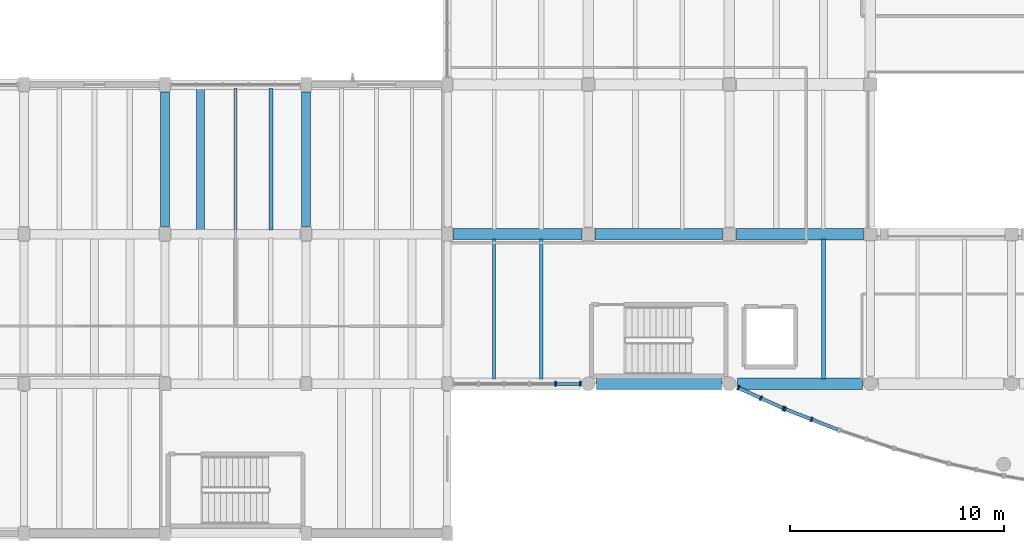
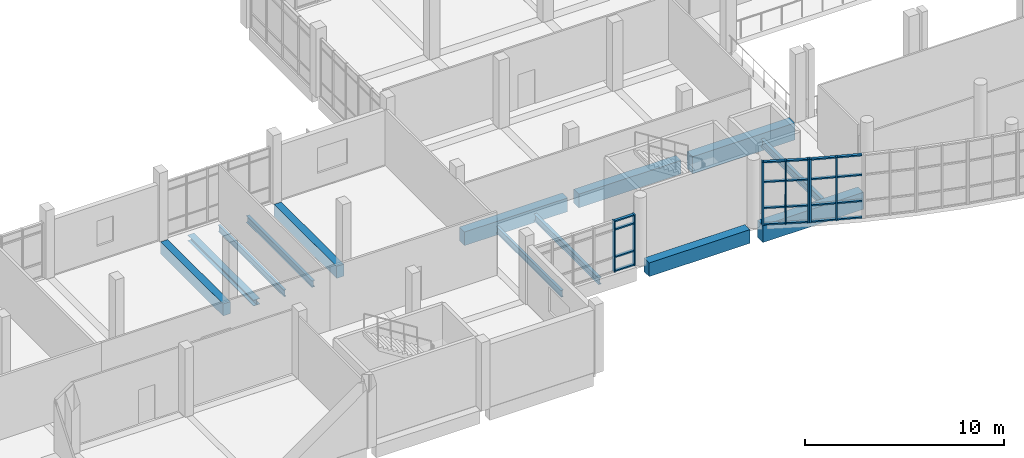
# One storey, part 5 of 67: 27 members, 13 beams, 3 elements without a shape of their own.
"""IFC4 building model written with IfcOpenShell, lengths in metres."""

import ifcopenshell
import ifcopenshell.guid

model = None  # the IFC model being written
_history = None  # IfcOwnerHistory: only IFC2X3 demands one
_inside = {}  # id of a spatial element -> (the spatial element, [elements in it])
_under = {}  # id of a project, library or spatial element -> (it, [spatial elements below it])
_declared = {}  # id of a project -> (the project, [libraries it declares])
_typed = {}  # id of a type object -> (the type object, [elements of that type])
_made_of = {}  # id of a material, layer set ... -> (it, [elements and type objects made of it])


def new_model(schema):
    """Start an empty IFC model of exactly this schema.

    Asked for "IFC4X3", IfcOpenShell would pick the latest addendum, in which some entities
    have other attributes; the version numbers below select the first issue.
    IFC2X3 requires an IfcOwnerHistory on every rooted entity: one is made here for all.
    """
    global model, _history
    if schema == "IFC4X3":
        model = ifcopenshell.file(schema_version=(4, 3, 0, 0))
    else:
        model = ifcopenshell.file(schema=schema)
    _inside.clear()
    _under.clear()
    _declared.clear()
    _typed.clear()
    _made_of.clear()
    _history = None
    if model.schema == "IFC2X3":
        org = make("IfcOrganization", Name="unknown")
        user = make(
            "IfcPersonAndOrganization",
            ThePerson=make("IfcPerson", FamilyName="unknown"),
            TheOrganization=org,
        )
        app = make(
            "IfcApplication",
            ApplicationDeveloper=org,
            Version="unknown",
            ApplicationFullName="unknown",
            ApplicationIdentifier="unknown",
        )
        _history = make(
            "IfcOwnerHistory",
            OwningUser=user,
            OwningApplication=app,
            ChangeAction="ADDED",
            CreationDate=0,
        )
    return model


def make(cls, **values):
    """One entity of the class cls with the attributes given. An attribute that is None is left unset."""
    return model.create_entity(
        cls, **{name: value for name, value in values.items() if value is not None}
    )


def rooted(cls, **values):
    """An entity with a GlobalId (a new one), such as an element, a storey or a relation."""
    return make(cls, GlobalId=ifcopenshell.guid.new(), OwnerHistory=_history, **values)


def si_unit(unit_type, name, prefix=None):
    """IfcSIUnit, for example si_unit("LENGTHUNIT", "METRE", prefix="MILLI")."""
    return make("IfcSIUnit", UnitType=unit_type, Prefix=prefix, Name=name)


def assignment(units):
    """IfcUnitAssignment: the units of a project."""
    return None if units is None else make("IfcUnitAssignment", Units=units)


def point(xyz):
    """IfcCartesianPoint."""
    return None if xyz is None else make("IfcCartesianPoint", Coordinates=xyz)


def direction(xyz):
    """IfcDirection."""
    return None if xyz is None else make("IfcDirection", DirectionRatios=xyz)


def frame(location, z_axis=None, x_axis=None):
    """IfcAxis2Placement3D, a coordinate frame: its origin and axes. An axis left out is left unset."""
    return make(
        "IfcAxis2Placement3D",
        Location=point(location),
        Axis=direction(z_axis),
        RefDirection=direction(x_axis),
    )


def frame_2d(location, x_axis=None):
    """IfcAxis2Placement2D, a coordinate frame in the plane: its origin and x axis."""
    return make(
        "IfcAxis2Placement2D", Location=point(location), RefDirection=direction(x_axis)
    )


def origin():
    """The frame at (0, 0, 0) with its axes left unset."""
    return frame((0.0, 0.0, 0.0))


def origin_2d():
    """The frame at (0, 0) in the plane with its x axis left unset."""
    return frame_2d((0.0, 0.0))


def place(relative_to, where):
    """IfcLocalPlacement: puts the frame where relative to a parent placement (None: the world)."""
    return make(
        "IfcLocalPlacement", PlacementRelTo=relative_to, RelativePlacement=where
    )


def context(
    kind, dimensions, precision=None, world=None, true_north=None, identifier=None
):
    """IfcGeometricRepresentationContext, for example the 3D "Model" context."""
    return make(
        "IfcGeometricRepresentationContext",
        ContextIdentifier=identifier,
        ContextType=kind,
        CoordinateSpaceDimension=dimensions,
        Precision=precision,
        WorldCoordinateSystem=world,
        TrueNorth=true_north,
    )


def subcontext(parent, identifier, kind, view, scale=None):
    """IfcGeometricRepresentationSubContext, for example "Body" below "Model"."""
    return make(
        "IfcGeometricRepresentationSubContext",
        ContextIdentifier=identifier,
        ContextType=kind,
        ParentContext=parent,
        TargetScale=scale,
        TargetView=view,
    )


def project(units=None, contexts=None):
    """IfcProject with its units and contexts."""
    return rooted(
        "IfcProject",
        Name="project",
        RepresentationContexts=contexts,
        UnitsInContext=assignment(units),
    )


def spatial(cls, under=None, at=None, **own):
    """A site, building, storey or space (cls), placed at a placement, below another one or the project."""
    s = rooted(cls, ObjectPlacement=at, **own)
    if under is not None:
        _under.setdefault(under.id(), (under, []))[1].append(s)
    return s


def profile(cls, at=None, kind="AREA", **sizes):
    """A parametric profile (cls). Its sizes go by their IFC names, for example OverallWidth=200.0."""
    return make(cls, ProfileType=kind, Position=at, **sizes)


def rectangle(**sizes):
    """IfcRectangleProfileDef."""
    return profile("IfcRectangleProfileDef", **sizes)


def i_section(**sizes):
    """IfcIShapeProfileDef."""
    return profile("IfcIShapeProfileDef", **sizes)


def extrude(swept, where, along, depth):
    """IfcExtrudedAreaSolid: the profile swept, set in the frame where, extruded along a direction by depth."""
    return make(
        "IfcExtrudedAreaSolid",
        SweptArea=swept,
        Position=where,
        ExtrudedDirection=direction(along),
        Depth=depth,
    )


def shape(context_of_items, identifier, shape_type, items):
    """IfcShapeRepresentation: the items that make up one representation, for example the "Body"."""
    return make(
        "IfcShapeRepresentation",
        ContextOfItems=context_of_items,
        RepresentationIdentifier=identifier,
        RepresentationType=shape_type,
        Items=items,
    )


def material(Name=None, Category=None):
    """IfcMaterial."""
    return make("IfcMaterial", Name=Name, Category=Category)


def material_profile(
    of_material, cross_section, Name=None, Category=None, Priority=None
):
    """IfcMaterialProfile: a cross section and its material."""
    return make(
        "IfcMaterialProfile",
        Name=Name,
        Material=of_material,
        Profile=cross_section,
        Priority=Priority,
        Category=Category,
    )


def profile_set(profiles, Name=None, composite=None):
    """IfcMaterialProfileSet."""
    return make(
        "IfcMaterialProfileSet",
        Name=Name,
        MaterialProfiles=profiles,
        CompositeProfile=composite,
    )


def made_of(thing, what):
    """Note that an element or type object is made of a material, layer set ...; save() writes the relation."""
    if what is not None:
        _made_of.setdefault(what.id(), (what, []))[1].append(thing)
    return thing


def type_object(cls, material=None, **own):
    """A type object (cls), such as IfcWallType, which elements share."""
    return made_of(rooted(cls, **own), material)


def element(
    cls,
    number,
    at=None,
    inside=None,
    cuts=None,
    type_object=None,
    material=None,
    context=None,
    identifier="Body",
    shape_type=None,
    held_by="IfcProductDefinitionShape",
    body=None,
    shapes=None,
    **own,
):
    """One element of the class cls, such as IfcWall. Its Tag is "e" and its number.

    at: its placement. inside: the storey or other place that contains it. cuts: it is an
    opening in that element (IfcRelVoidsElement). A single representation is given by context,
    identifier, shape_type and body (its items); several are given by shapes. held_by: the class
    of the entity that holds the representations. save() writes the other relations.
    """
    e = rooted(cls, Tag="e%d" % number, ObjectPlacement=at, **own)
    if body is not None:
        shapes = [shape(context, identifier, shape_type, body)]
    if shapes is not None:
        e.Representation = make(held_by, Representations=shapes)
    if inside is not None:
        _inside.setdefault(inside.id(), (inside, []))[1].append(e)
    if cuts is not None:
        rooted(
            "IfcRelVoidsElement", RelatingBuildingElement=cuts, RelatedOpeningElement=e
        )
    if type_object is not None:
        _typed.setdefault(type_object.id(), (type_object, []))[1].append(e)
    return made_of(e, material)


def aggregate(whole, parts):
    """IfcRelAggregates: a whole, such as a stair, and the parts it consists of."""
    return rooted("IfcRelAggregates", RelatingObject=whole, RelatedObjects=parts)


def save(model, path):
    """Write the relations noted so far, then the file.

    IfcRelAggregates (storeys below a building ...), IfcRelContainedInSpatialStructure (elements
    in a storey), IfcRelDefinesByType, IfcRelAssociatesMaterial and IfcRelDeclares: one each for
    every whole, place, type object, material and project.
    """
    for whole, parts in _under.values():
        aggregate(whole, parts)
    for where, things in _inside.values():
        rooted(
            "IfcRelContainedInSpatialStructure",
            RelatedElements=things,
            RelatingStructure=where,
        )
    for kind, things in _typed.values():
        rooted("IfcRelDefinesByType", RelatedObjects=things, RelatingType=kind)
    for what, things in _made_of.values():
        rooted("IfcRelAssociatesMaterial", RelatedObjects=things, RelatingMaterial=what)
    for by, libraries in _declared.values():
        rooted("IfcRelDeclares", RelatingContext=by, RelatedDefinitions=libraries)
    model.write(path)


model = new_model("IFC4")

# Units and contexts
model_context = context("Model", 3, precision=1e-05, world=origin(), true_north=direction((0.0, 1.0)))
body_context = subcontext(model_context, "Body", "Model", "MODEL_VIEW")
ifc_project = project(units=[si_unit("LENGTHUNIT", "METRE"), si_unit("AREAUNIT", "SQUARE_METRE"), si_unit("VOLUMEUNIT", "CUBIC_METRE"), si_unit("PLANEANGLEUNIT", "RADIAN"), si_unit("MASSUNIT", "GRAM", prefix="KILO")], contexts=[model_context])

# Site, building, storey
site_placement = place(None, origin())
site = spatial("IfcSite", under=ifc_project, at=site_placement, CompositionType="ELEMENT")
building_placement = place(site_placement, origin())
building = spatial("IfcBuilding", under=site, at=building_placement, Name="Ciguamira Faculty of Natural Sciences", CompositionType="ELEMENT")
storey_placement = place(building_placement, frame((0.0, 0.0, 8.39990234375)))
storey = spatial("IfcBuildingStorey", under=building, at=storey_placement, Name="L02", CompositionType="ELEMENT", Elevation=8.39990234375)

# Curtain wall, members
ifc_material_1 = material(Name="Anodized aluminium curtain wall", Category="aluminium")
curtain_wall_type_1 = type_object("IfcCurtainWallType", Name="CurtainWall_CW-06", PredefinedType="USERDEFINED", material=ifc_material_1)
curtain_wall_1_placement = place(storey_placement, origin())
curtain_wall_1 = element("IfcCurtainWall", 1, at=curtain_wall_1_placement, inside=storey, type_object=curtain_wall_type_1, Name="L02 unitised curtain wall 0054", ObjectType="UNITISED CURTAIN WALL", PredefinedType="USERDEFINED")
ifc_material_2 = material(Name="Anodized aluminium mullion", Category="aluminium")
ifc_material_profile_1 = material_profile(ifc_material_2, rectangle(XDim=0.080078125, YDim=0.219970703125, at=origin_2d()), Name="ALU-MUL-80X220")
ifc_profile_set_1 = profile_set([ifc_material_profile_1], Name="Anodized aluminium mullion")
member_type_1 = type_object("IfcMemberType", Name="CWMullion_CWM-03", PredefinedType="MULLION", material=ifc_profile_set_1)
member_1_placement = place(storey_placement, frame((55.77001953125, 10.0, 0.0), z_axis=(0.0, 0.0, 1.0), x_axis=(1.0, 0.0, 0.0)))
member_1 = element("IfcMember", 2, at=member_1_placement, type_object=member_type_1, Name="CW-06 mullion 5", PredefinedType="MULLION", context=body_context, shape_type="SweptSolid", body=[
    extrude(rectangle(XDim=0.080078125, YDim=0.219970703125, at=origin_2d()), origin(), (0.0, 0.0, 1.0), 3.135009765625),
])
member_2_placement = place(storey_placement, frame((56.93505859375, 10.0, 0.0), z_axis=(0.0, 0.0, 1.0), x_axis=(1.0, 0.0, 0.0)))
member_2 = element("IfcMember", 3, at=member_2_placement, type_object=member_type_1, Name="CW-06 mullion 6", PredefinedType="MULLION", context=body_context, shape_type="SweptSolid", body=[
    extrude(rectangle(XDim=0.080078125, YDim=0.219970703125, at=origin_2d()), origin(), (0.0, 0.0, 1.0), 3.135009765625),
])

curtain_wall_2_placement = place(storey_placement, origin())
curtain_wall_2 = element("IfcCurtainWall", 4, at=curtain_wall_2_placement, inside=storey, type_object=curtain_wall_type_1, Name="L02 south gallery curved curtain wall 01", ObjectType="UNITISED CURTAIN WALL", PredefinedType="USERDEFINED")
member_3_placement = place(storey_placement, frame((64.31884765625, 9.809814453125, 0.0), z_axis=(0.0, 0.0, 1.0), x_axis=(0.910580503774, -0.41333176281, 0.0)))
member_3 = element("IfcMember", 5, at=member_3_placement, type_object=member_type_1, Name="CW-06 mullion 1", PredefinedType="MULLION", context=body_context, shape_type="SweptSolid", body=[
    extrude(rectangle(XDim=0.080078125, YDim=0.219970703125, at=origin_2d()), origin(), (0.0, 0.0, 1.0), 3.900146484375),
])
member_4_placement = place(storey_placement, frame((65.37451171875, 9.33056640625, 0.0), z_axis=(0.0, 0.0, 1.0), x_axis=(0.910580503774, -0.41333176281, 0.0)))
member_4 = element("IfcMember", 6, at=member_4_placement, type_object=member_type_1, Name="CW-06 mullion 2", PredefinedType="MULLION", context=body_context, shape_type="SweptSolid", body=[
    extrude(rectangle(XDim=0.080078125, YDim=0.219970703125, at=origin_2d()), origin(), (0.0, 0.0, 1.0), 3.900146484375),
])
member_5_placement = place(storey_placement, frame((66.43017578125, 8.851318359375, 0.0), z_axis=(0.0, 0.0, 1.0), x_axis=(0.910580503774, -0.41333176281, 0.0)))
member_5 = element("IfcMember", 7, at=member_5_placement, type_object=member_type_1, Name="CW-06 mullion 3", PredefinedType="MULLION", context=body_context, shape_type="SweptSolid", body=[
    extrude(rectangle(XDim=0.080078125, YDim=0.219970703125, at=origin_2d()), origin(), (0.0, 0.0, 1.0), 3.900146484375),
])

curtain_wall_type_2 = type_object("IfcCurtainWallType", Name="CurtainWall_CW-07", PredefinedType="USERDEFINED", material=ifc_material_1)
curtain_wall_3_placement = place(storey_placement, origin())
curtain_wall_3 = element("IfcCurtainWall", 8, at=curtain_wall_3_placement, inside=storey, type_object=curtain_wall_type_2, Name="L02 south gallery curved curtain wall 02", ObjectType="UNITISED CURTAIN WALL", PredefinedType="USERDEFINED")
member_6_placement = place(storey_placement, frame((66.50390625, 8.8203125, 0.0), z_axis=(0.0, 0.0, 1.0), x_axis=(0.931122296337, -0.36470710065, 0.0)))
member_6 = element("IfcMember", 9, at=member_6_placement, type_object=member_type_1, Name="CW-07 mullion 1", PredefinedType="MULLION", context=body_context, shape_type="SweptSolid", body=[
    extrude(rectangle(XDim=0.080078125, YDim=0.219970703125, at=origin_2d()), origin(), (0.0, 0.0, 1.0), 3.900146484375),
])
member_7_placement = place(storey_placement, frame((67.75, 8.332275390625, 0.0), z_axis=(0.0, 0.0, 1.0), x_axis=(0.931122296337, -0.36470710065, 0.0)))
member_7 = element("IfcMember", 10, at=member_7_placement, type_object=member_type_1, Name="CW-07 mullion 2", PredefinedType="MULLION", context=body_context, shape_type="SweptSolid", body=[
    extrude(rectangle(XDim=0.080078125, YDim=0.219970703125, at=origin_2d()), origin(), (0.0, 0.0, 1.0), 3.900146484375),
])

# Member
ifc_material_3 = material(Name="Anodized aluminium transom", Category="aluminium")
ifc_material_profile_2 = material_profile(ifc_material_3, rectangle(XDim=0.080078125, YDim=0.159912109375, at=origin_2d()), Name="ALU-TRN-80X160")
ifc_profile_set_2 = profile_set([ifc_material_profile_2], Name="Anodized aluminium transom")
member_type_2 = type_object("IfcMemberType", Name="CWTransom_CWT-03", PredefinedType="USERDEFINED", material=ifc_profile_set_2)
member_8_placement = place(storey_placement, frame((55.81005859375, 10.0, 0.0400390625), z_axis=(1.0, 0.0, 0.0), x_axis=(0.0, 0.0, 1.0)))
member_8 = element("IfcMember", 11, at=member_8_placement, type_object=member_type_2, Name="CW-06 transom 5.1", ObjectType="TRANSOM", PredefinedType="USERDEFINED", context=body_context, shape_type="SweptSolid", body=[
    extrude(rectangle(XDim=0.080078125, YDim=0.159912109375, at=origin_2d()), origin(), (0.0, 0.0, 1.0), 1.0849609375),
])

member_9_placement = place(storey_placement, frame((55.81005859375, 10.0, 0.900146484375), z_axis=(1.0, 0.0, 0.0), x_axis=(0.0, 0.0, 1.0)))
member_9 = element("IfcMember", 12, at=member_9_placement, type_object=member_type_2, Name="CW-06 transom 5.2", ObjectType="TRANSOM", PredefinedType="USERDEFINED", context=body_context, shape_type="SweptSolid", body=[
    extrude(rectangle(XDim=0.080078125, YDim=0.159912109375, at=origin_2d()), origin(), (0.0, 0.0, 1.0), 1.0849609375),
])

member_10_placement = place(storey_placement, frame((55.81005859375, 10.0, 2.585205078125), z_axis=(1.0, 0.0, 0.0), x_axis=(0.0, 0.0, 1.0)))
member_10 = element("IfcMember", 13, at=member_10_placement, type_object=member_type_2, Name="CW-06 transom 5.3", ObjectType="TRANSOM", PredefinedType="USERDEFINED", context=body_context, shape_type="SweptSolid", body=[
    extrude(rectangle(XDim=0.080078125, YDim=0.159912109375, at=origin_2d()), origin(), (0.0, 0.0, 1.0), 1.0849609375),
])

member_11_placement = place(storey_placement, frame((55.81005859375, 10.0, 3.09521484375), z_axis=(1.0, 0.0, 0.0), x_axis=(0.0, 0.0, 1.0)))
member_11 = element("IfcMember", 14, at=member_11_placement, type_object=member_type_2, Name="CW-06 transom 5.4", ObjectType="TRANSOM", PredefinedType="USERDEFINED", context=body_context, shape_type="SweptSolid", body=[
    extrude(rectangle(XDim=0.080078125, YDim=0.159912109375, at=origin_2d()), origin(), (0.0, 0.0, 1.0), 1.0849609375),
])

aggregate(curtain_wall_1, [member_1, member_2, member_8, member_9, member_10, member_11])

member_12_placement = place(storey_placement, frame((64.355224609375, 9.793212890625, 0.0400390625), z_axis=(0.910621924114, -0.413240500585, 0.0), x_axis=(0.0, 0.0, 1.0)))
member_12 = element("IfcMember", 15, at=member_12_placement, type_object=member_type_2, Name="CW-06 transom 1.1", ObjectType="TRANSOM", PredefinedType="USERDEFINED", context=body_context, shape_type="SweptSolid", body=[
    extrude(rectangle(XDim=0.080078125, YDim=0.159912109375, at=origin_2d()), origin(), (0.0, 0.0, 1.0), 1.079345703125),
])

member_13_placement = place(storey_placement, frame((64.355224609375, 9.793212890625, 1.050048828125), z_axis=(0.910621924114, -0.413240500585, 0.0), x_axis=(0.0, 0.0, 1.0)))
member_13 = element("IfcMember", 16, at=member_13_placement, type_object=member_type_2, Name="CW-06 transom 1.2", ObjectType="TRANSOM", PredefinedType="USERDEFINED", context=body_context, shape_type="SweptSolid", body=[
    extrude(rectangle(XDim=0.080078125, YDim=0.159912109375, at=origin_2d()), origin(), (0.0, 0.0, 1.0), 1.079345703125),
])

member_14_placement = place(storey_placement, frame((64.355224609375, 9.793212890625, 2.650146484375), z_axis=(0.910621924114, -0.413240500585, 0.0), x_axis=(0.0, 0.0, 1.0)))
member_14 = element("IfcMember", 17, at=member_14_placement, type_object=member_type_2, Name="CW-06 transom 1.3", ObjectType="TRANSOM", PredefinedType="USERDEFINED", context=body_context, shape_type="SweptSolid", body=[
    extrude(rectangle(XDim=0.080078125, YDim=0.159912109375, at=origin_2d()), origin(), (0.0, 0.0, 1.0), 1.079345703125),
])

member_15_placement = place(storey_placement, frame((64.355224609375, 9.793212890625, 3.860107421875), z_axis=(0.910621924114, -0.413240500585, 0.0), x_axis=(0.0, 0.0, 1.0)))
member_15 = element("IfcMember", 18, at=member_15_placement, type_object=member_type_2, Name="CW-06 transom 1.4", ObjectType="TRANSOM", PredefinedType="USERDEFINED", context=body_context, shape_type="SweptSolid", body=[
    extrude(rectangle(XDim=0.080078125, YDim=0.159912109375, at=origin_2d()), origin(), (0.0, 0.0, 1.0), 1.079345703125),
])

member_16_placement = place(storey_placement, frame((65.410888671875, 9.314208984375, 0.0400390625), z_axis=(0.910536797913, -0.413428034422, 0.0), x_axis=(0.0, 0.0, 1.0)))
member_16 = element("IfcMember", 19, at=member_16_placement, type_object=member_type_2, Name="CW-06 transom 2.1", ObjectType="TRANSOM", PredefinedType="USERDEFINED", context=body_context, shape_type="SweptSolid", body=[
    extrude(rectangle(XDim=0.080078125, YDim=0.159912109375, at=origin_2d()), origin(), (0.0, 0.0, 1.0), 1.07958984375),
])

member_17_placement = place(storey_placement, frame((65.410888671875, 9.314208984375, 1.050048828125), z_axis=(0.910536797913, -0.413428034422, 0.0), x_axis=(0.0, 0.0, 1.0)))
member_17 = element("IfcMember", 20, at=member_17_placement, type_object=member_type_2, Name="CW-06 transom 2.2", ObjectType="TRANSOM", PredefinedType="USERDEFINED", context=body_context, shape_type="SweptSolid", body=[
    extrude(rectangle(XDim=0.080078125, YDim=0.159912109375, at=origin_2d()), origin(), (0.0, 0.0, 1.0), 1.07958984375),
])

member_18_placement = place(storey_placement, frame((65.410888671875, 9.314208984375, 2.650146484375), z_axis=(0.910536797913, -0.413428034422, 0.0), x_axis=(0.0, 0.0, 1.0)))
member_18 = element("IfcMember", 21, at=member_18_placement, type_object=member_type_2, Name="CW-06 transom 2.3", ObjectType="TRANSOM", PredefinedType="USERDEFINED", context=body_context, shape_type="SweptSolid", body=[
    extrude(rectangle(XDim=0.080078125, YDim=0.159912109375, at=origin_2d()), origin(), (0.0, 0.0, 1.0), 1.07958984375),
])

member_19_placement = place(storey_placement, frame((65.410888671875, 9.314208984375, 3.860107421875), z_axis=(0.910536797913, -0.413428034422, 0.0), x_axis=(0.0, 0.0, 1.0)))
member_19 = element("IfcMember", 22, at=member_19_placement, type_object=member_type_2, Name="CW-06 transom 2.4", ObjectType="TRANSOM", PredefinedType="USERDEFINED", context=body_context, shape_type="SweptSolid", body=[
    extrude(rectangle(XDim=0.080078125, YDim=0.159912109375, at=origin_2d()), origin(), (0.0, 0.0, 1.0), 1.07958984375),
])

aggregate(curtain_wall_2, [member_3, member_4, member_5, member_12, member_13, member_14, member_15, member_16, member_17, member_18, member_19])

member_20_placement = place(storey_placement, frame((66.541259765625, 8.8056640625, 0.0400390625), z_axis=(0.931142528587, -0.364655442104, 0.0), x_axis=(0.0, 0.0, 1.0)))
member_20 = element("IfcMember", 23, at=member_20_placement, type_object=member_type_2, Name="CW-07 transom 1.1", ObjectType="TRANSOM", PredefinedType="USERDEFINED", context=body_context, shape_type="SweptSolid", body=[
    extrude(rectangle(XDim=0.080078125, YDim=0.159912109375, at=origin_2d()), origin(), (0.0, 0.0, 1.0), 1.258056640625),
])

member_21_placement = place(storey_placement, frame((66.541259765625, 8.8056640625, 1.050048828125), z_axis=(0.931142528587, -0.364655442104, 0.0), x_axis=(0.0, 0.0, 1.0)))
member_21 = element("IfcMember", 24, at=member_21_placement, type_object=member_type_2, Name="CW-07 transom 1.2", ObjectType="TRANSOM", PredefinedType="USERDEFINED", context=body_context, shape_type="SweptSolid", body=[
    extrude(rectangle(XDim=0.080078125, YDim=0.159912109375, at=origin_2d()), origin(), (0.0, 0.0, 1.0), 1.258056640625),
])

member_22_placement = place(storey_placement, frame((66.541259765625, 8.8056640625, 2.650146484375), z_axis=(0.931142528587, -0.364655442104, 0.0), x_axis=(0.0, 0.0, 1.0)))
member_22 = element("IfcMember", 25, at=member_22_placement, type_object=member_type_2, Name="CW-07 transom 1.3", ObjectType="TRANSOM", PredefinedType="USERDEFINED", context=body_context, shape_type="SweptSolid", body=[
    extrude(rectangle(XDim=0.080078125, YDim=0.159912109375, at=origin_2d()), origin(), (0.0, 0.0, 1.0), 1.258056640625),
])

member_23_placement = place(storey_placement, frame((66.541259765625, 8.8056640625, 3.860107421875), z_axis=(0.931142528587, -0.364655442104, 0.0), x_axis=(0.0, 0.0, 1.0)))
member_23 = element("IfcMember", 26, at=member_23_placement, type_object=member_type_2, Name="CW-07 transom 1.4", ObjectType="TRANSOM", PredefinedType="USERDEFINED", context=body_context, shape_type="SweptSolid", body=[
    extrude(rectangle(XDim=0.080078125, YDim=0.159912109375, at=origin_2d()), origin(), (0.0, 0.0, 1.0), 1.258056640625),
])

member_24_placement = place(storey_placement, frame((67.787353515625, 8.317626953125, 0.0400390625), z_axis=(0.931142528587, -0.364655442104, 0.0), x_axis=(0.0, 0.0, 1.0)))
member_24 = element("IfcMember", 27, at=member_24_placement, type_object=member_type_2, Name="CW-07 transom 2.1", ObjectType="TRANSOM", PredefinedType="USERDEFINED", context=body_context, shape_type="SweptSolid", body=[
    extrude(rectangle(XDim=0.080078125, YDim=0.159912109375, at=origin_2d()), origin(), (0.0, 0.0, 1.0), 1.258056640625),
])

member_25_placement = place(storey_placement, frame((67.787353515625, 8.317626953125, 1.050048828125), z_axis=(0.931142528587, -0.364655442104, 0.0), x_axis=(0.0, 0.0, 1.0)))
member_25 = element("IfcMember", 28, at=member_25_placement, type_object=member_type_2, Name="CW-07 transom 2.2", ObjectType="TRANSOM", PredefinedType="USERDEFINED", context=body_context, shape_type="SweptSolid", body=[
    extrude(rectangle(XDim=0.080078125, YDim=0.159912109375, at=origin_2d()), origin(), (0.0, 0.0, 1.0), 1.258056640625),
])

member_26_placement = place(storey_placement, frame((67.787353515625, 8.317626953125, 2.650146484375), z_axis=(0.931142528587, -0.364655442104, 0.0), x_axis=(0.0, 0.0, 1.0)))
member_26 = element("IfcMember", 29, at=member_26_placement, type_object=member_type_2, Name="CW-07 transom 2.3", ObjectType="TRANSOM", PredefinedType="USERDEFINED", context=body_context, shape_type="SweptSolid", body=[
    extrude(rectangle(XDim=0.080078125, YDim=0.159912109375, at=origin_2d()), origin(), (0.0, 0.0, 1.0), 1.258056640625),
])

member_27_placement = place(storey_placement, frame((67.787353515625, 8.317626953125, 3.860107421875), z_axis=(0.931142528587, -0.364655442104, 0.0), x_axis=(0.0, 0.0, 1.0)))
member_27 = element("IfcMember", 30, at=member_27_placement, type_object=member_type_2, Name="CW-07 transom 2.4", ObjectType="TRANSOM", PredefinedType="USERDEFINED", context=body_context, shape_type="SweptSolid", body=[
    extrude(rectangle(XDim=0.080078125, YDim=0.159912109375, at=origin_2d()), origin(), (0.0, 0.0, 1.0), 1.258056640625),
])

aggregate(curtain_wall_3, [member_6, member_7, member_20, member_21, member_22, member_23, member_24, member_25, member_26, member_27])

# Beams
ifc_material_4 = material(Name="Concrete C40/50", Category="concrete")
ifc_material_profile_3 = material_profile(ifc_material_4, rectangle(XDim=0.550048828125, YDim=1.050048828125, at=origin_2d()), Name="RC-BM-550X1050")
ifc_profile_set_3 = profile_set([ifc_material_profile_3], Name="Concrete C40/50")
beam_type_1 = type_object("IfcBeamType", Name="RCBeam_BG-01_RC-BM-550X1050", PredefinedType="BEAM", material=ifc_profile_set_3)
beam_1_placement = place(storey_placement, frame((64.27490234375, 10.0, -0.52490234375), z_axis=(1.0, 0.0, 0.0), x_axis=(0.0, 1.0, 0.0)))
element("IfcBeam", 31, at=beam_1_placement, inside=storey, type_object=beam_type_1, Name="L02 RC girder EW-0721", PredefinedType="BEAM", context=body_context, shape_type="SweptSolid", body=[
    extrude(rectangle(XDim=0.550048828125, YDim=1.050048828125, at=origin_2d()), origin(), (0.0, 0.0, 1.0), 5.85009765625),
])
beam_2_placement = place(storey_placement, frame((64.22509765625, 17.0, -0.52490234375), z_axis=(1.0, 0.0, 0.0), x_axis=(0.0, 1.0, 0.0)))
element("IfcBeam", 32, at=beam_2_placement, inside=storey, type_object=beam_type_1, Name="L02 RC girder EW-0739", PredefinedType="BEAM", context=body_context, shape_type="SweptSolid", body=[
    extrude(rectangle(XDim=0.550048828125, YDim=1.050048828125, at=origin_2d()), origin(), (0.0, 0.0, 1.0), 5.949951171875),
])
ifc_material_profile_4 = material_profile(ifc_material_4, rectangle(XDim=0.419921875, YDim=0.739990234375, at=origin_2d()), Name="RC-BM-420X740")
ifc_profile_set_4 = profile_set([ifc_material_profile_4], Name="Concrete C40/50")
beam_type_2 = type_object("IfcBeamType", Name="RCBeam_BG-07_RC-BM-420X740", PredefinedType="BEAM", material=ifc_profile_set_4)
for number, where, z_axis, x_axis, name in (
    (33, (37.5, 17.35009765625, -0.369873046875), (0.0, 1.0, 0.0), (-1.0, 0.0, 0.0), "L02 girder NS-0889"),
    (34, (44.10009765625, 17.35009765625, -0.369873046875), (0.0, 1.0, 0.0), (-1.0, 0.0, 0.0), "L02 girder NS-0891"),
):
    element("IfcBeam", number, at=place(storey_placement, frame(where, z_axis=z_axis, x_axis=x_axis)), inside=storey, type_object=beam_type_2, Name=name, PredefinedType="BEAM", context=body_context, shape_type="SweptSolid", body=[
        extrude(rectangle(XDim=0.419921875, YDim=0.739990234375, at=origin_2d()), origin(), (0.0, 0.0, 1.0), 6.2998046875),
    ])
ifc_material_profile_5 = material_profile(ifc_material_4, rectangle(XDim=0.52001953125, YDim=0.840087890625, at=origin_2d()), Name="RC-TB-520X840")
ifc_profile_set_5 = profile_set([ifc_material_profile_5], Name="Concrete C40/50")
beam_type_3 = type_object("IfcBeamType", Name="RCBeam_TB-02_RC-TB-520X840", PredefinedType="T_BEAM", material=ifc_profile_set_5)
beam_3_placement = place(storey_placement, frame((57.675048828125, 10.0, -0.419921875), z_axis=(1.0, 0.0, 0.0), x_axis=(0.0, 1.0, 0.0)))
element("IfcBeam", 35, at=beam_3_placement, inside=storey, type_object=beam_type_3, Name="L02 RC girder EW-0720", PredefinedType="T_BEAM", context=body_context, shape_type="SweptSolid", body=[
    extrude(rectangle(XDim=0.52001953125, YDim=0.840087890625, at=origin_2d()), origin(), (0.0, 0.0, 1.0), 5.849853515625),
])
beam_4_placement = place(storey_placement, frame((50.97509765625, 17.0, -0.419921875), z_axis=(1.0, 0.0, 0.0), x_axis=(0.0, 1.0, 0.0)))
element("IfcBeam", 36, at=beam_4_placement, inside=storey, type_object=beam_type_3, Name="L02 RC girder EW-0737", PredefinedType="T_BEAM", context=body_context, shape_type="SweptSolid", body=[
    extrude(rectangle(XDim=0.52001953125, YDim=0.840087890625, at=origin_2d()), origin(), (0.0, 0.0, 1.0), 6.0),
])
beam_5_placement = place(storey_placement, frame((57.625, 17.0, -0.419921875), z_axis=(1.0, 0.0, 0.0), x_axis=(0.0, 1.0, 0.0)))
element("IfcBeam", 37, at=beam_5_placement, inside=storey, type_object=beam_type_3, Name="L02 RC girder EW-0738", PredefinedType="T_BEAM", context=body_context, shape_type="SweptSolid", body=[
    extrude(rectangle(XDim=0.52001953125, YDim=0.840087890625, at=origin_2d()), origin(), (0.0, 0.0, 1.0), 5.949951171875),
])
ifc_material_5 = material(Name="Steel ASTM A992 Grade 50", Category="steel")
ifc_material_profile_6 = material_profile(ifc_material_5, i_section(OverallWidth=0.368408203125, OverallDepth=0.355712890625, WebThickness=0.01123046875, FlangeThickness=0.01806640625, at=origin_2d()), Name="W14X90")
ifc_profile_set_6 = profile_set([ifc_material_profile_6], Name="Steel ASTM A992 Grade 50")
beam_type_4 = type_object("IfcBeamType", Name="SteelJoist_SJ-16_W14X90", PredefinedType="JOIST", material=ifc_profile_set_6)
beam_6_placement = place(storey_placement, frame((39.14990234375, 17.18505859375, -0.437744140625), z_axis=(0.0, 1.0, 0.0), x_axis=(-1.0, 0.0, 0.0)))
element("IfcBeam", 38, at=beam_6_placement, inside=storey, type_object=beam_type_4, Name="L02 composite steel joist 00689", PredefinedType="JOIST", context=body_context, shape_type="SweptSolid", body=[
    extrude(i_section(OverallWidth=0.368408203125, OverallDepth=0.355712890625, WebThickness=0.01123046875, FlangeThickness=0.01806640625, at=origin_2d()), origin(), (0.0, 0.0, 1.0), 6.6298828125),
])
ifc_material_profile_7 = material_profile(ifc_material_5, i_section(OverallWidth=0.140380859375, OverallDepth=0.40380859375, WebThickness=0.007080078125, FlangeThickness=0.01123046875, at=origin_2d()), Name="W16X31")
ifc_profile_set_7 = profile_set([ifc_material_profile_7], Name="Steel ASTM A992 Grade 50")
beam_type_5 = type_object("IfcBeamType", Name="SteelJoist_SJ-17_W16X31", PredefinedType="JOIST", material=ifc_profile_set_7)
beam_7_placement = place(storey_placement, frame((40.800048828125, 17.18505859375, -0.4619140625), z_axis=(0.0, 1.0, 0.0), x_axis=(-1.0, 0.0, 0.0)))
element("IfcBeam", 39, at=beam_7_placement, inside=storey, type_object=beam_type_5, Name="L02 composite steel joist 00690", PredefinedType="JOIST", context=body_context, shape_type="SweptSolid", body=[
    extrude(i_section(OverallWidth=0.140380859375, OverallDepth=0.40380859375, WebThickness=0.007080078125, FlangeThickness=0.01123046875, at=origin_2d()), origin(), (0.0, 0.0, 1.0), 6.6298828125),
])
beam_8_placement = place(storey_placement, frame((52.89990234375, 10.219970703125, -0.501708984375), z_axis=(0.0, 1.0, 0.0), x_axis=(-1.0, 0.0, 0.0)))
element("IfcBeam", 40, at=beam_8_placement, inside=storey, type_object=beam_type_5, Name="L02 composite steel joist 00701", PredefinedType="JOIST", context=body_context, shape_type="SweptSolid", body=[
    extrude(i_section(OverallWidth=0.140380859375, OverallDepth=0.40380859375, WebThickness=0.007080078125, FlangeThickness=0.01123046875, at=origin_2d()), origin(), (0.0, 0.0, 1.0), 6.56005859375),
])
ifc_material_profile_8 = material_profile(ifc_material_5, i_section(OverallWidth=0.177490234375, OverallDepth=0.40380859375, WebThickness=0.007568359375, FlangeThickness=0.010986328125, at=origin_2d()), Name="W16X36")
ifc_profile_set_8 = profile_set([ifc_material_profile_8], Name="Steel ASTM A992 Grade 50")
beam_type_6 = type_object("IfcBeamType", Name="SteelJoist_SJ-18_W16X36", PredefinedType="JOIST", material=ifc_profile_set_8)
beam_9_placement = place(storey_placement, frame((42.449951171875, 17.18505859375, -0.4619140625), z_axis=(0.0, 1.0, 0.0), x_axis=(-1.0, 0.0, 0.0)))
element("IfcBeam", 41, at=beam_9_placement, inside=storey, type_object=beam_type_6, Name="L02 composite steel joist 00691", PredefinedType="JOIST", context=body_context, shape_type="SweptSolid", body=[
    extrude(i_section(OverallWidth=0.177490234375, OverallDepth=0.40380859375, WebThickness=0.007568359375, FlangeThickness=0.010986328125, at=origin_2d()), origin(), (0.0, 0.0, 1.0), 6.6298828125),
])
beam_10_placement = place(storey_placement, frame((55.10009765625, 10.219970703125, -0.501708984375), z_axis=(0.0, 1.0, 0.0), x_axis=(-1.0, 0.0, 0.0)))
element("IfcBeam", 42, at=beam_10_placement, inside=storey, type_object=beam_type_6, Name="L02 composite steel joist 00702", PredefinedType="JOIST", context=body_context, shape_type="SweptSolid", body=[
    extrude(i_section(OverallWidth=0.177490234375, OverallDepth=0.40380859375, WebThickness=0.007568359375, FlangeThickness=0.010986328125, at=origin_2d()), origin(), (0.0, 0.0, 1.0), 6.56005859375),
])
ifc_material_profile_9 = material_profile(ifc_material_5, i_section(OverallWidth=0.19287109375, OverallDepth=0.46728515625, WebThickness=0.011474609375, FlangeThickness=0.01904296875, at=origin_2d()), Name="W18X65")
ifc_profile_set_9 = profile_set([ifc_material_profile_9], Name="Steel ASTM A992 Grade 50")
beam_type_7 = type_object("IfcBeamType", Name="SteelJoist_SJ-24_W18X65", PredefinedType="JOIST", material=ifc_profile_set_9)
beam_11_placement = place(storey_placement, frame((68.300048828125, 10.235107421875, -0.53369140625), z_axis=(0.0, 1.0, 0.0), x_axis=(-1.0, 0.0, 0.0)))
element("IfcBeam", 43, at=beam_11_placement, inside=storey, type_object=beam_type_7, Name="L02 composite steel joist 00736", PredefinedType="JOIST", context=body_context, shape_type="SweptSolid", body=[
    extrude(i_section(OverallWidth=0.19287109375, OverallDepth=0.46728515625, WebThickness=0.011474609375, FlangeThickness=0.01904296875, at=origin_2d()), origin(), (0.0, 0.0, 1.0), 6.52978515625),
])

save(model, "model.ifc")
